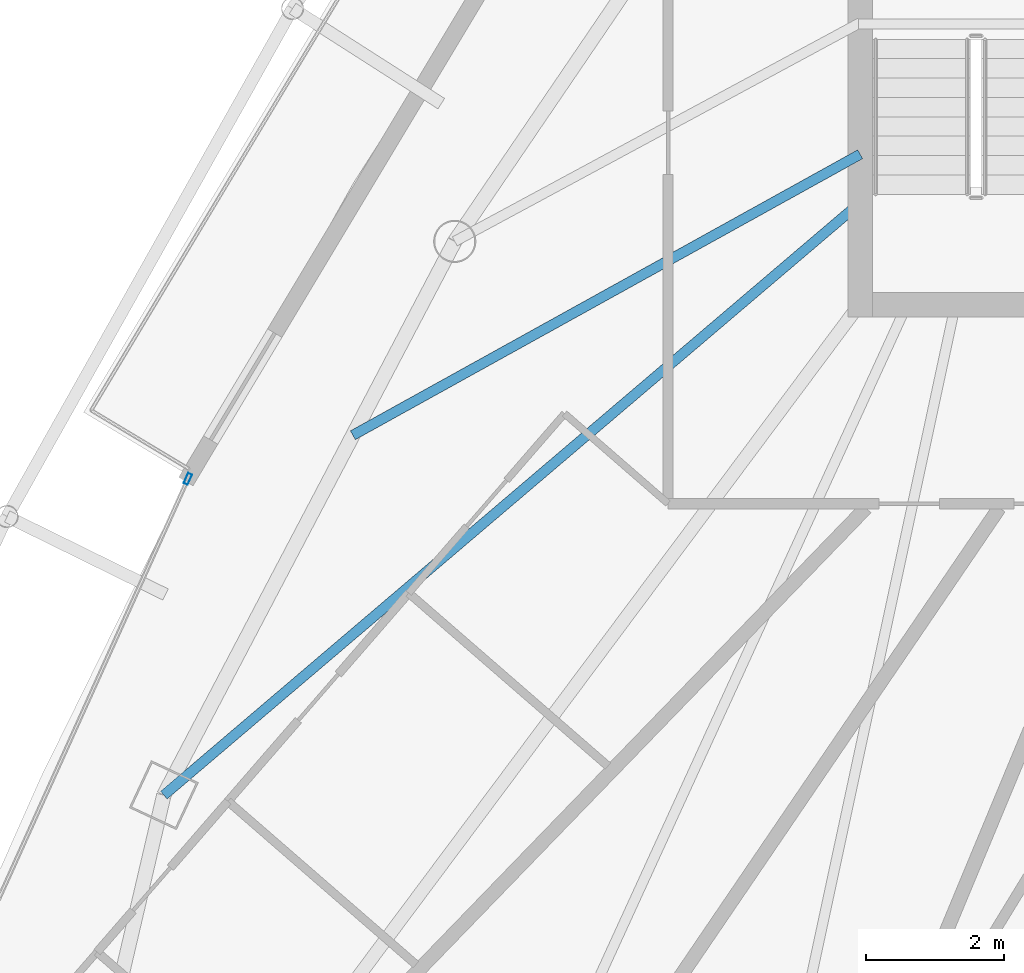
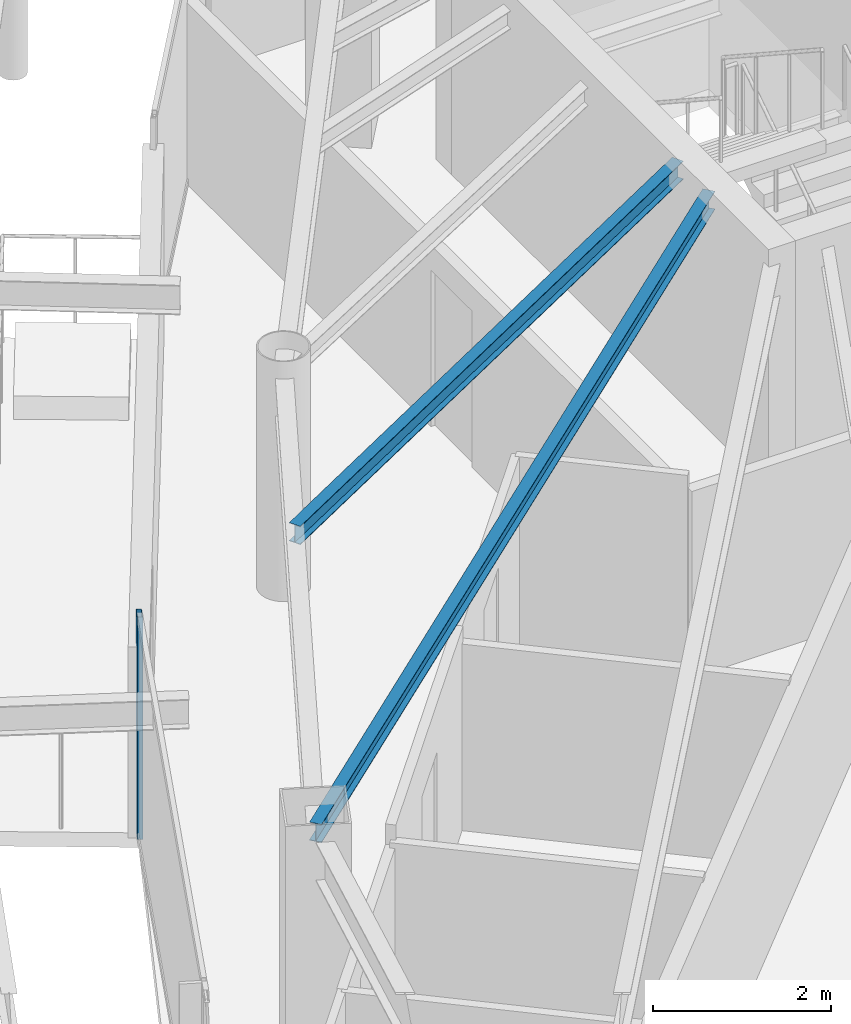
# One storey, part 10 of 29: 2 beams, 1 member, 1 element without a shape of its own.
"""IFC4 building model written with IfcOpenShell, lengths in metres."""

from ifc_helpers import new_model, si_unit, direction, frame, origin, origin_2d, place, context, subcontext, project, spatial, hollow_rectangle, i_section, extrude, material, layer, layer_set, material_profile, profile_set, type_object, element, aggregate, save


model = new_model("IFC4")

# Units and contexts
model_context = context("Model", 3, precision=1e-05, world=origin(), true_north=direction((0.0, 1.0)))
body_context = subcontext(model_context, "Body", "Model", "MODEL_VIEW")
ifc_project = project(units=[si_unit("LENGTHUNIT", "METRE"), si_unit("AREAUNIT", "SQUARE_METRE"), si_unit("VOLUMEUNIT", "CUBIC_METRE"), si_unit("PLANEANGLEUNIT", "RADIAN"), si_unit("MASSUNIT", "GRAM", prefix="KILO")], contexts=[model_context])

# Site, building, storey
site_placement = place(None, origin())
site = spatial("IfcSite", under=ifc_project, at=site_placement, CompositionType="ELEMENT")
building_placement = place(site_placement, origin())
building = spatial("IfcBuilding", under=site, at=building_placement, Name="Orvanel Arch Residences", CompositionType="ELEMENT")
storey_placement = place(building_placement, frame((0.0, 0.0, 243.64990234375)))
storey = spatial("IfcBuildingStorey", under=building, at=storey_placement, Name="L69", CompositionType="ELEMENT", Elevation=243.64990234375)

# Beams
ifc_material_1 = material(Name="Structural steel AS/NZS 3679.1 Grade 300 (300 MPa)", Category="steel")
ifc_material_profile_1 = material_profile(ifc_material_1, i_section(OverallWidth=0.14599609375, OverallDepth=0.251953125, WebThickness=0.006103515625, FlangeThickness=0.008544921875, at=origin_2d()), Name="250UB31.4")
ifc_profile_set_1 = profile_set([ifc_material_profile_1], Name="Structural steel AS/NZS 3679.1 Grade 300 (300 MPa)")
beam_type = type_object("IfcBeamType", Name="BJ-250UB", PredefinedType="JOIST", material=ifc_profile_set_1)
beam_1_placement = place(storey_placement, frame((26.425048828125, 28.199951171875, 2.93408203125), z_axis=(-0.761622669031, -0.64802076357, 0.0), x_axis=(0.64802076357, -0.761622669031, 0.0)))
element("IfcBeam", 1, at=beam_1_placement, inside=storey, type_object=beam_type, Name="L69 W Wing Floor Joist", PredefinedType="JOIST", context=body_context, shape_type="SweptSolid", body=[
    extrude(i_section(OverallWidth=0.14599609375, OverallDepth=0.251953125, WebThickness=0.006103515625, FlangeThickness=0.008544921875, at=origin_2d()), origin(), (0.0, 0.0, 1.0), 13.2060546875),
])
beam_2_placement = place(storey_placement, frame((26.425048828125, 28.89990234375, 2.93408203125), z_axis=(-0.874754673235, -0.484566054996, 0.0), x_axis=(0.484566054996, -0.874754673235, 0.0)))
element("IfcBeam", 2, at=beam_2_placement, inside=storey, type_object=beam_type, Name="L69 CTW Wing Floor Joist", PredefinedType="JOIST", context=body_context, shape_type="SweptSolid", body=[
    extrude(i_section(OverallWidth=0.14599609375, OverallDepth=0.251953125, WebThickness=0.006103515625, FlangeThickness=0.008544921875, at=origin_2d()), origin(), (0.0, 0.0, 1.0), 8.376220703125),
])

# Curtain wall, member
ifc_material_2 = material(Name="Bronze-anodised aluminium AA6063-T6", Category="aluminium")
ifc_layer = layer(ifc_material_2, 0.175048828125)
ifc_layer_set = layer_set([ifc_layer], Name="Bronze-anodised aluminium AA6063-T6")
curtain_wall_type = type_object("IfcCurtainWallType", Name="CW4-HI-SYS", PredefinedType="NOTDEFINED", material=ifc_layer_set)
curtain_wall_placement = place(storey_placement, origin())
curtain_wall = element("IfcCurtainWall", 3, at=curtain_wall_placement, inside=storey, type_object=curtain_wall_type, Name="L69 CW4-HI-SYS Unitised Curtain Wall", PredefinedType="NOTDEFINED")
ifc_material_profile_2 = material_profile(ifc_material_2, hollow_rectangle(XDim=0.06494140625, YDim=0.159912109375, WallThickness=0.00390625, at=origin_2d()), Name="ALU160x65x4")
ifc_profile_set_2 = profile_set([ifc_material_profile_2], Name="Bronze-anodised aluminium AA6063-T6")
member_type = type_object("IfcMemberType", Name="MUL-160x65", PredefinedType="MULLION", material=ifc_profile_set_2)
member_placement = place(storey_placement, frame((16.713623046875, 24.21044921875, 0.0), z_axis=(0.0, 0.0, 1.0), x_axis=(0.911827998826, -0.410572405987, 0.0)))
member = element("IfcMember", 4, at=member_placement, type_object=member_type, Name="CW-S4 mullion 1", PredefinedType="MULLION", context=body_context, shape_type="SweptSolid", body=[
    extrude(hollow_rectangle(XDim=0.06494140625, YDim=0.159912109375, WallThickness=0.00390625, at=origin_2d()), origin(), (0.0, 0.0, 1.0), 3.06005859375),
])
aggregate(curtain_wall, [member])

save(model, "model.ifc")
